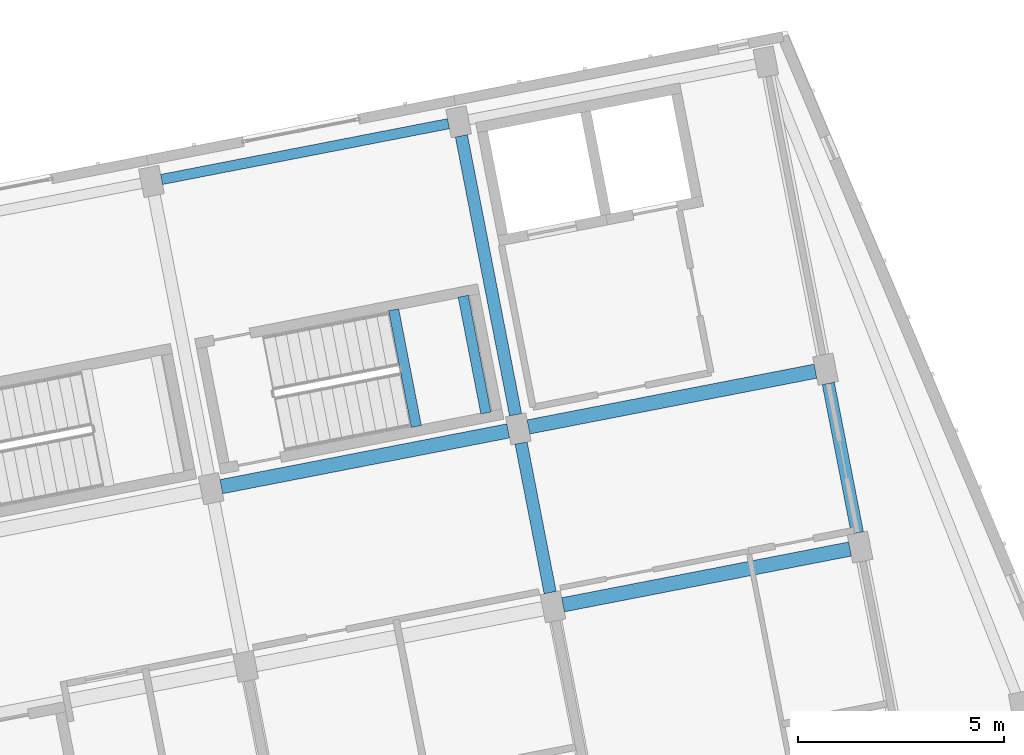
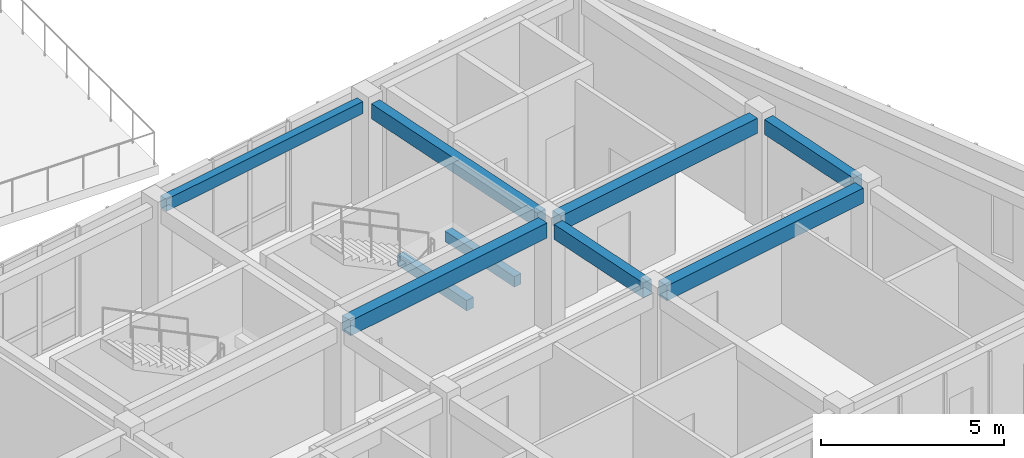
# One storey, part 59 of 150: 9 beams.
"""IFC4 building model written with IfcOpenShell, lengths in metres."""

from ifc_helpers import new_model, si_unit, direction, frame, origin, origin_2d, place, context, subcontext, project, spatial, rectangle, extrude, material, material_profile, profile_set, type_object, element, save


model = new_model("IFC4")

# Units and contexts
model_context = context("Model", 3, precision=1e-05, world=origin(), true_north=direction((0.0, 1.0)))
body_context = subcontext(model_context, "Body", "Model", "MODEL_VIEW")
ifc_project = project(units=[si_unit("LENGTHUNIT", "METRE"), si_unit("AREAUNIT", "SQUARE_METRE"), si_unit("VOLUMEUNIT", "CUBIC_METRE"), si_unit("PLANEANGLEUNIT", "RADIAN"), si_unit("MASSUNIT", "GRAM", prefix="KILO")], contexts=[model_context])

# Site, building, storey
site_placement = place(None, origin())
site = spatial("IfcSite", under=ifc_project, at=site_placement, CompositionType="ELEMENT")
building_placement = place(site_placement, origin())
building = spatial("IfcBuilding", under=site, at=building_placement, Name="Kestramere Prow Commons", CompositionType="ELEMENT")
storey_placement = place(building_placement, frame((0.0, 0.0, 4.5)))
storey = spatial("IfcBuildingStorey", under=building, at=storey_placement, Name="L01", CompositionType="ELEMENT", Elevation=4.5)

# Beams
ifc_material_1 = material(Name="Precast concrete C40/50", Category="concrete")
ifc_material_profile_1 = material_profile(ifc_material_1, rectangle(XDim=0.35009765625, YDim=0.5, at=origin_2d()), Name="PC-BM 350x500")
ifc_profile_set_1 = profile_set([ifc_material_profile_1], Name="Precast concrete C40/50")
beam_type_1 = type_object("IfcBeamType", Name="BM-D1 PC-BM 350x500", PredefinedType="BEAM", material=ifc_profile_set_1)
for number, where, z_axis, x_axis, name in (
    (1, (154.4970703125, 48.7587890625, 3.39990234375), (0.981627020401, 0.190809834175, 0.0), (-0.190809834175, 0.981627020401, 0.0), "Block D L01 Longitudinal Beam 2-6"),
    (2, (146.197265625, 51.6279296875, 3.39990234375), (0.981627020401, 0.190809834175, 0.0), (-0.190809834175, 0.981627020401, 0.0), "Block D L01 Longitudinal Beam 3-5"),
):
    element("IfcBeam", number, at=place(storey_placement, frame(where, z_axis=z_axis, x_axis=x_axis)), inside=storey, type_object=beam_type_1, Name=name, PredefinedType="BEAM", context=body_context, shape_type="SweptSolid", body=[
        extrude(rectangle(XDim=0.35009765625, YDim=0.5, at=origin_2d()), origin(), (0.0, 0.0, 1.0), 7.099853515625),
    ])
beam_1_placement = place(storey_placement, frame((153.657470703125, 53.077880859375, 3.39990234375), z_axis=(0.98162827229, 0.190803393686, 0.0), x_axis=(-0.190803393686, 0.98162827229, 0.0)))
element("IfcBeam", 3, at=beam_1_placement, inside=storey, type_object=beam_type_1, Name="Block D L01 Longitudinal Beam 3-6", PredefinedType="BEAM", context=body_context, shape_type="SweptSolid", body=[
    extrude(rectangle(XDim=0.35009765625, YDim=0.5, at=origin_2d()), origin(), (0.0, 0.0, 1.0), 7.10009765625),
])
ifc_material_2 = material(Name="Concrete C40/50", Category="concrete")
ifc_material_profile_2 = material_profile(ifc_material_2, rectangle(XDim=0.25, YDim=0.35009765625, at=origin_2d()), Name="PC-BM 250x350")
ifc_profile_set_2 = profile_set([ifc_material_profile_2], Name="Concrete C40/50")
beam_type_2 = type_object("IfcBeamType", Name="BM-ST-TRIM", PredefinedType="BEAM", material=ifc_profile_set_2)
beam_2_placement = place(storey_placement, frame((150.935546875, 53.0888671875, 1.574951171875), z_axis=(-0.190833481473, 0.981622423516, 0.0), x_axis=(-0.981622423516, -0.190833481473, 0.0)))
element("IfcBeam", 4, at=beam_2_placement, inside=storey, type_object=beam_type_2, Name="ST-D2 L01 Landing Trimmer Beam 1A", PredefinedType="BEAM", context=body_context, shape_type="SweptSolid", body=[
    extrude(rectangle(XDim=0.25, YDim=0.35009765625, at=origin_2d()), origin(), (0.0, 0.0, 1.0), 2.89013671875),
])
beam_3_placement = place(storey_placement, frame((152.623779296875, 53.4169921875, 1.574951171875), z_axis=(-0.190752078966, 0.981638245165, 0.0), x_axis=(-0.981638245165, -0.190752078966, 0.0)))
element("IfcBeam", 5, at=beam_3_placement, inside=storey, type_object=beam_type_2, Name="ST-D2 L01 Landing Trimmer Beam 1B", PredefinedType="BEAM", context=body_context, shape_type="SweptSolid", body=[
    extrude(rectangle(XDim=0.25, YDim=0.35009765625, at=origin_2d()), origin(), (0.0, 0.0, 1.0), 2.889892578125),
])
ifc_material_profile_3 = material_profile(ifc_material_1, rectangle(XDim=0.300048828125, YDim=0.5, at=origin_2d()), Name="PC-BM 300x500")
ifc_profile_set_3 = profile_set([ifc_material_profile_3], Name="Precast concrete C40/50")
beam_type_3 = type_object("IfcBeamType", Name="BM-TIE-01 PC-BM 300x500", PredefinedType="BEAM", material=ifc_profile_set_3)
beam_4_placement = place(storey_placement, frame((154.184814453125, 49.0546875, 3.39990234375), z_axis=(-0.19075839345, 0.981637018112, 0.0), x_axis=(-0.981637018112, -0.19075839345, 0.0)))
element("IfcBeam", 6, at=beam_4_placement, inside=storey, type_object=beam_type_3, Name="Block D L01 Transverse Beam 6-2", PredefinedType="BEAM", context=body_context, shape_type="SweptSolid", body=[
    extrude(rectangle(XDim=0.300048828125, YDim=0.5, at=origin_2d()), origin(), (0.0, 0.0, 1.0), 3.699951171875),
])
beam_5_placement = place(storey_placement, frame((153.345458984375, 53.373779296875, 3.39990234375), z_axis=(-0.190819465253, 0.981625148252, 0.0), x_axis=(-0.981625148252, -0.190819465253, 0.0)))
element("IfcBeam", 7, at=beam_5_placement, inside=storey, type_object=beam_type_3, Name="Block D L01 Transverse Beam 6-3", PredefinedType="BEAM", context=body_context, shape_type="SweptSolid", body=[
    extrude(rectangle(XDim=0.300048828125, YDim=0.5, at=origin_2d()), origin(), (0.0, 0.0, 1.0), 6.89990234375),
])
beam_6_placement = place(storey_placement, frame((161.645263671875, 50.5048828125, 3.39990234375), z_axis=(-0.190821974723, 0.981624660429, 0.0), x_axis=(-0.981624660429, -0.190821974723, 0.0)))
element("IfcBeam", 8, at=beam_6_placement, inside=storey, type_object=beam_type_3, Name="Block D L01 Transverse Beam 7-2", PredefinedType="BEAM", context=body_context, shape_type="SweptSolid", body=[
    extrude(rectangle(XDim=0.300048828125, YDim=0.5, at=origin_2d()), origin(), (0.0, 0.0, 1.0), 3.699951171875),
])
ifc_material_profile_4 = material_profile(ifc_material_1, rectangle(XDim=0.25, YDim=0.39990234375, at=origin_2d()), Name="PC-SP 250x400")
ifc_profile_set_4 = profile_set([ifc_material_profile_4], Name="Precast concrete C40/50")
beam_type_4 = type_object("IfcBeamType", Name="SP-EXT-01 PC-SP 250x400", PredefinedType="SPANDREL", material=ifc_profile_set_4)
beam_7_placement = place(storey_placement, frame((144.7470703125, 59.088134765625, 3.449951171875), z_axis=(0.981627020401, 0.190809834175, 0.0), x_axis=(-0.190809834175, 0.981627020401, 0.0)))
element("IfcBeam", 9, at=beam_7_placement, inside=storey, type_object=beam_type_4, Name="Block D L01 Longitudinal Beam 4-5", PredefinedType="SPANDREL", context=body_context, shape_type="SweptSolid", body=[
    extrude(rectangle(XDim=0.25, YDim=0.39990234375, at=origin_2d()), origin(), (0.0, 0.0, 1.0), 7.099853515625),
])

save(model, "model.ifc")
